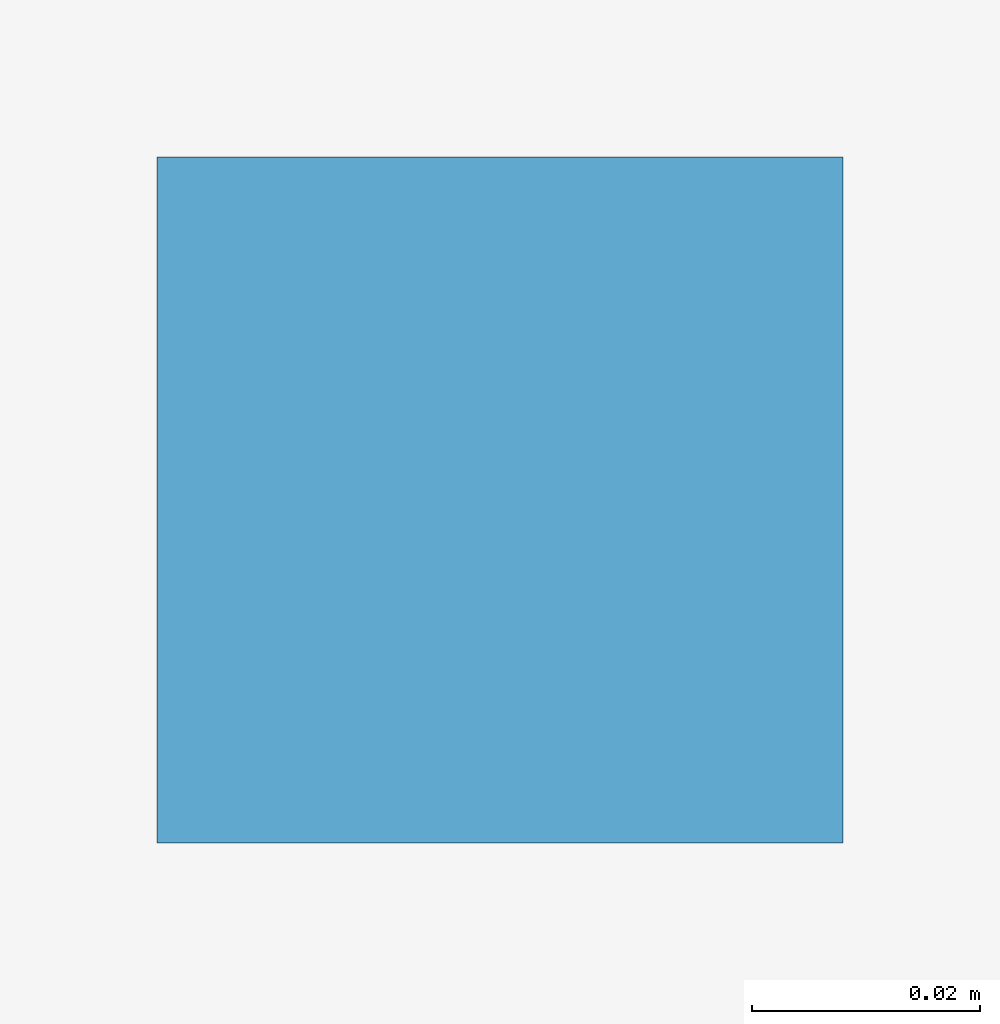
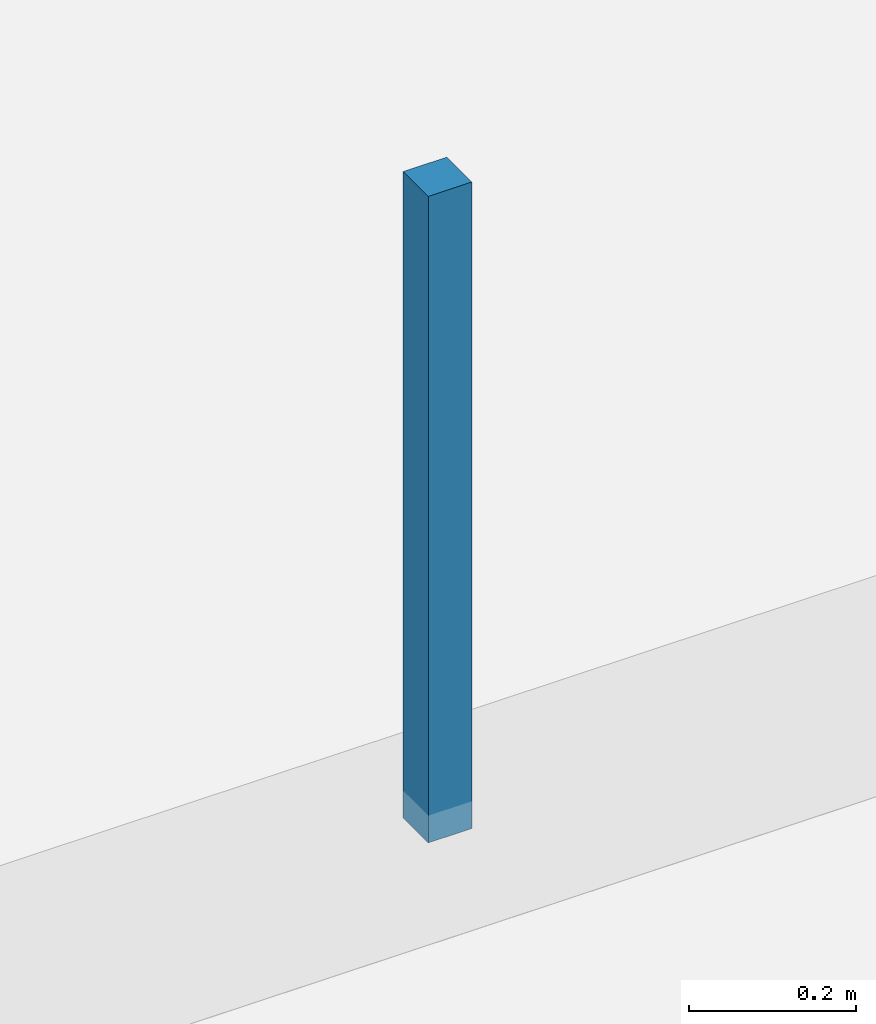
# One storey, part 63 of 122: 1 discrete accessory.
"""IFC4 building model written with IfcOpenShell, lengths in metres."""

from ifc_helpers import new_model, si_unit, direction, frame, origin, origin_2d, place, context, subcontext, project, spatial, rectangle, extrude, material, type_object, element, save


model = new_model("IFC4")

# Units and contexts
model_context = context("Model", 3, precision=1e-05, world=origin(), true_north=direction((0.0, 1.0)))
body_context = subcontext(model_context, "Body", "Model", "MODEL_VIEW")
ifc_project = project(units=[si_unit("LENGTHUNIT", "METRE"), si_unit("AREAUNIT", "SQUARE_METRE"), si_unit("VOLUMEUNIT", "CUBIC_METRE"), si_unit("PLANEANGLEUNIT", "RADIAN"), si_unit("MASSUNIT", "GRAM", prefix="KILO")], contexts=[model_context])

# Site, building, storey
site_placement = place(None, origin())
site = spatial("IfcSite", under=ifc_project, at=site_placement, CompositionType="ELEMENT")
building_placement = place(site_placement, origin())
building = spatial("IfcBuilding", under=site, at=building_placement, Name="Telukmera Botanical Conservatory", CompositionType="ELEMENT")
storey_placement = place(building_placement, frame((0.0, 0.0, 10.199951171875)))
storey = spatial("IfcBuildingStorey", under=building, at=storey_placement, Name="L02", CompositionType="ELEMENT", Elevation=10.199951171875)

# Discrete accessory
ifc_material = material(Name="Steel S355", Category="steel")
discrete_accessory_type = type_object("IfcDiscreteAccessoryType", Name="ACC-CEIL-HGR", PredefinedType="BRACKET", material=ifc_material)
discrete_accessory_placement = place(storey_placement, frame((32.114013671875, 38.35009765625, 3.60986328125), z_axis=(0.0, 0.0, 1.0), x_axis=(1.0, 0.0, 0.0)))
element("IfcDiscreteAccessory", 1, at=discrete_accessory_placement, inside=storey, type_object=discrete_accessory_type, Name="L02 Suspended Ceiling Hanger Rod 014-1", PredefinedType="BRACKET", context=body_context, shape_type="SweptSolid", body=[
    extrude(rectangle(XDim=0.06005859375, YDim=0.06005859375, at=origin_2d()), origin(), (0.0, 0.0, 1.0), 0.945068359375),
])

save(model, "model.ifc")
